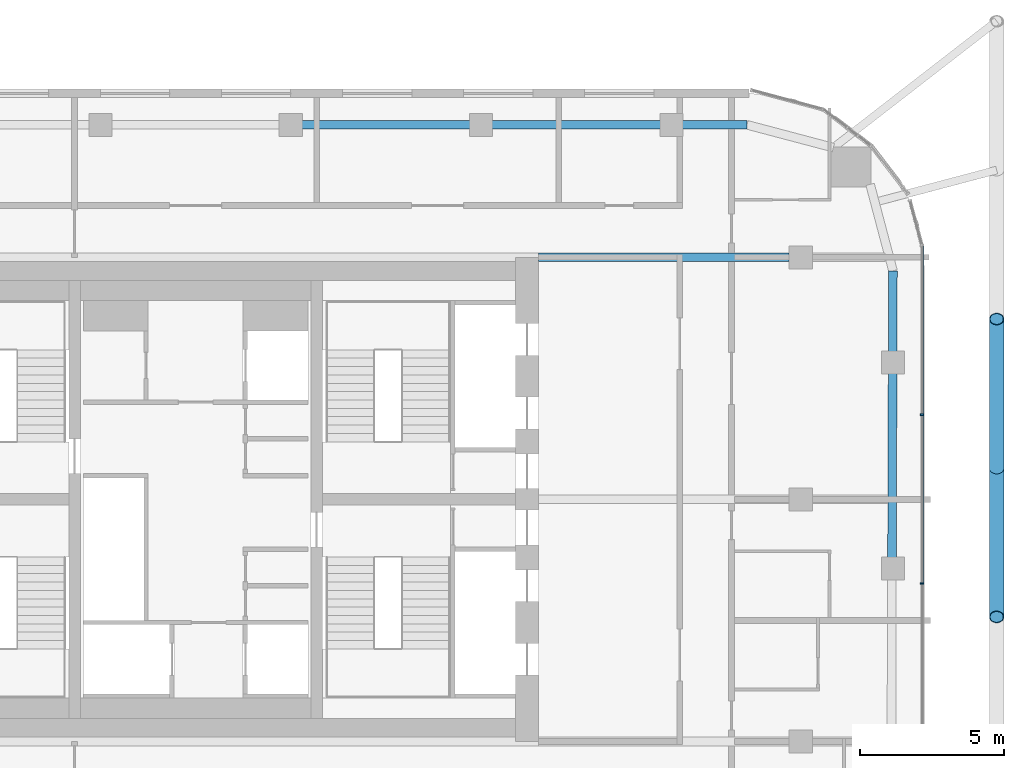
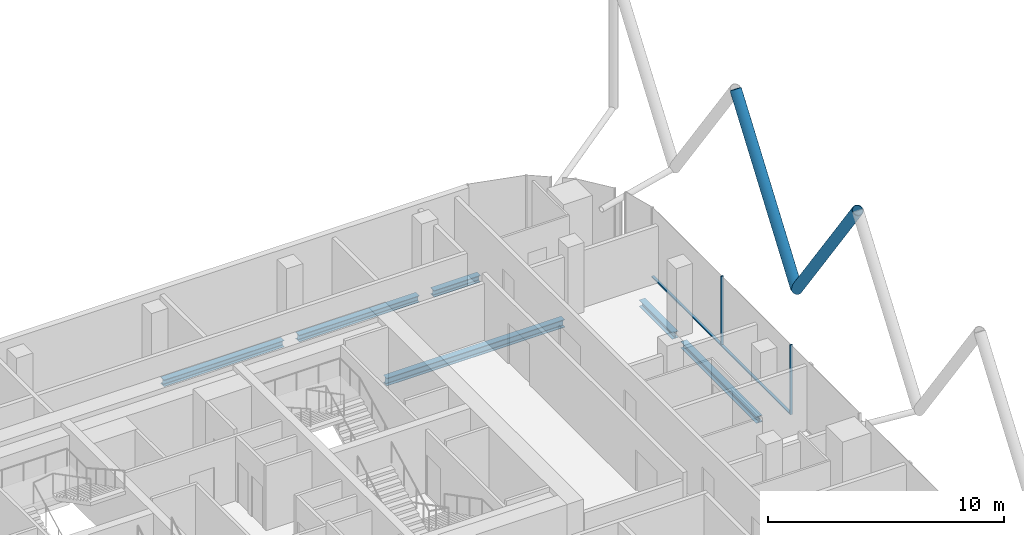
# One storey, part 10 of 31: 6 beams, 6 members, 1 element without a shape of its own.
"""IFC4 building model written with IfcOpenShell, lengths in metres."""

from ifc_helpers import new_model, si_unit, direction, frame, origin, origin_2d, place, context, subcontext, project, spatial, rectangle, hollow_circle, i_section, extrude, material, layer, layer_set, material_profile, profile_set, type_object, element, aggregate, save


model = new_model("IFC4")

# Units and contexts
model_context = context("Model", 3, precision=1e-05, world=origin(), true_north=direction((0.0, 1.0)))
body_context = subcontext(model_context, "Body", "Model", "MODEL_VIEW")
ifc_project = project(units=[si_unit("LENGTHUNIT", "METRE"), si_unit("AREAUNIT", "SQUARE_METRE"), si_unit("VOLUMEUNIT", "CUBIC_METRE"), si_unit("PLANEANGLEUNIT", "RADIAN"), si_unit("MASSUNIT", "GRAM", prefix="KILO")], contexts=[model_context])

# Site, building, storey
site_placement = place(None, origin())
site = spatial("IfcSite", under=ifc_project, at=site_placement, CompositionType="ELEMENT")
building_placement = place(site_placement, origin())
building = spatial("IfcBuilding", under=site, at=building_placement, Name="Marenta Gate Hotel Tower", CompositionType="ELEMENT")
storey_placement = place(building_placement, frame((0.0, 0.0, 191.300048828125)))
storey = spatial("IfcBuildingStorey", under=building, at=storey_placement, Name="L43", CompositionType="ELEMENT", Elevation=191.300048828125)

# Members
ifc_material_1 = material(Name="Steel S355J2W", Category="steel")
ifc_material_profile_1 = material_profile(ifc_material_1, hollow_circle(Radius=0.25390625, WallThickness=0.02490234375, at=origin_2d()), Name="CHS 508x25")
ifc_profile_set_1 = profile_set([ifc_material_profile_1], Name="Steel S355J2W")
member_type_1 = type_object("IfcMemberType", Name="Diagrid diagonal Z3 CHS 508x25", PredefinedType="BRACE", material=ifc_profile_set_1)
member_1_placement = place(storey_placement, frame((27.800048828125, 9.489990234375, 3.139892578125), z_axis=(0.0, 0.583260841117, 0.812284919975), x_axis=(-1.0, 0.0, 0.0)))
element("IfcMember", 1, at=member_1_placement, inside=storey, type_object=member_type_1, Name="L43-DG-3", PredefinedType="BRACE", context=body_context, shape_type="SweptSolid", body=[
    extrude(hollow_circle(Radius=0.25390625, WallThickness=0.02490234375, at=origin_2d()), origin(), (0.0, 0.0, 1.0), 8.86376953125),
])
member_2_placement = place(storey_placement, frame((27.800048828125, 9.489990234375, 3.139892578125), z_axis=(0.0, -0.583279014058, 0.812271870595), x_axis=(1.0, 0.0, 0.0)))
element("IfcMember", 2, at=member_2_placement, inside=storey, type_object=member_type_1, Name="L43-DG-4", PredefinedType="BRACE", context=body_context, shape_type="SweptSolid", body=[
    extrude(hollow_circle(Radius=0.25390625, WallThickness=0.02490234375, at=origin_2d()), origin(), (0.0, 0.0, 1.0), 8.864013671875),
])

# Beams
ifc_material_2 = material(Name="Steel S355", Category="steel")
ifc_material_profile_2 = material_profile(ifc_material_2, i_section(OverallWidth=0.300048828125, OverallDepth=0.340087890625, WebThickness=0.011962890625, FlangeThickness=0.021484375, FilletRadius=0.027099609375, at=origin_2d()), Name="HEB 340")
ifc_profile_set_2 = profile_set([ifc_material_profile_2], Name="Steel S355")
beam_type_1 = type_object("IfcBeamType", Name="Edge beam HEB 340", PredefinedType="SPANDREL", material=ifc_profile_set_2)
for number, where, z_axis, x_axis, name in (
    (3, (3.661376953125, 21.39990234375, -0.429931640625), (1.0, 0.0, 0.0), (0.0, 1.0, 0.0), "L43-EB-17"),
    (4, (10.26416015625, 21.39990234375, -0.429931640625), (1.0, 0.0, 0.0), (0.0, 1.0, 0.0), "L43-EB-18"),
):
    element("IfcBeam", number, at=place(storey_placement, frame(where, z_axis=z_axis, x_axis=x_axis)), inside=storey, type_object=beam_type_1, Name=name, PredefinedType="SPANDREL", context=body_context, shape_type="SweptSolid", body=[
        extrude(i_section(OverallWidth=0.300048828125, OverallDepth=0.340087890625, WebThickness=0.011962890625, FlangeThickness=0.021484375, FilletRadius=0.027099609375, at=origin_2d()), origin(), (0.0, 0.0, 1.0), 5.8828125),
    ])
beam_1_placement = place(storey_placement, frame((16.866943359375, 21.39990234375, -0.429931640625), z_axis=(1.0, 0.0, 0.0), x_axis=(0.0, 1.0, 0.0)))
element("IfcBeam", 5, at=beam_1_placement, inside=storey, type_object=beam_type_1, Name="L43-EB-19", PredefinedType="SPANDREL", context=body_context, shape_type="SweptSolid", body=[
    extrude(i_section(OverallWidth=0.300048828125, OverallDepth=0.340087890625, WebThickness=0.011962890625, FlangeThickness=0.021484375, FilletRadius=0.027099609375, at=origin_2d()), origin(), (0.0, 0.0, 1.0), 2.267578125),
])
beam_2_placement = place(storey_placement, frame((24.199951171875, 16.33447265625, -0.429931640625), z_axis=(-0.003292020626, -0.999994581285, 0.0), x_axis=(0.999994581285, -0.003292020626, 0.0)))
element("IfcBeam", 6, at=beam_2_placement, inside=storey, type_object=beam_type_1, Name="L43-EB-22", PredefinedType="SPANDREL", context=body_context, shape_type="SweptSolid", body=[
    extrude(i_section(OverallWidth=0.300048828125, OverallDepth=0.340087890625, WebThickness=0.011962890625, FlangeThickness=0.021484375, FilletRadius=0.027099609375, at=origin_2d()), origin(), (0.0, 0.0, 1.0), 2.818115234375),
])
beam_3_placement = place(storey_placement, frame((24.188232421875, 12.79638671875, -0.429931640625), z_axis=(-0.00333963982, -0.999994423387, 0.0), x_axis=(0.999994423387, -0.00333963982, 0.0)))
element("IfcBeam", 7, at=beam_3_placement, inside=storey, type_object=beam_type_1, Name="L43-EB-23", PredefinedType="SPANDREL", context=body_context, shape_type="SweptSolid", body=[
    extrude(i_section(OverallWidth=0.300048828125, OverallDepth=0.340087890625, WebThickness=0.011962890625, FlangeThickness=0.021484375, FilletRadius=0.027099609375, at=origin_2d()), origin(), (0.0, 0.0, 1.0), 6.43310546875),
])
ifc_material_3 = material(Name="Steel S355", Category="steel")
ifc_material_profile_3 = material_profile(ifc_material_3, i_section(OverallWidth=0.300048828125, OverallDepth=0.39990234375, WebThickness=0.013427734375, FlangeThickness=0.02392578125, FilletRadius=0.027099609375, at=origin_2d()), Name="HEB 400")
ifc_profile_set_3 = profile_set([ifc_material_profile_3], Name="Steel S355")
beam_type_2 = type_object("IfcBeamType", Name="Girder HEB 400", PredefinedType="BEAM", material=ifc_profile_set_3)
beam_4_placement = place(storey_placement, frame((11.89990234375, 16.800048828125, -0.4599609375), z_axis=(1.0, 0.0, 0.0), x_axis=(0.0, 1.0, 0.0)))
element("IfcBeam", 8, at=beam_4_placement, inside=storey, type_object=beam_type_2, Name="L43-GD-32", PredefinedType="BEAM", context=body_context, shape_type="SweptSolid", body=[
    extrude(i_section(OverallWidth=0.300048828125, OverallDepth=0.39990234375, WebThickness=0.013427734375, FlangeThickness=0.02392578125, FilletRadius=0.027099609375, at=origin_2d()), origin(), (0.0, 0.0, 1.0), 8.7001953125),
])

# Curtain wall, members
ifc_material_4 = material(Name="Tinted insulated glass in bronze anodised frame", Category="glass")
ifc_layer = layer(ifc_material_4, 0.1201171875)
ifc_layer_set = layer_set([ifc_layer], Name="Tinted insulated glass in bronze anodised frame")
curtain_wall_type = type_object("IfcCurtainWallType", Name="Tower unitised curtain wall CW1", PredefinedType="NOTDEFINED", material=ifc_layer_set)
curtain_wall_placement = place(storey_placement, origin())
curtain_wall = element("IfcCurtainWall", 9, at=curtain_wall_placement, inside=storey, type_object=curtain_wall_type, Name="CW1 run G34", PredefinedType="NOTDEFINED")
ifc_material_5 = material(Name="Bronze anodised aluminium", Category="aluminium")
ifc_material_profile_4 = material_profile(ifc_material_5, rectangle(XDim=0.1201171875, YDim=0.06005859375, at=origin_2d()), Name="Mullion CW1 60x120 bronze anodised aluminium")
ifc_profile_set_4 = profile_set([ifc_material_profile_4], Name="Bronze anodised aluminium")
member_type_2 = type_object("IfcMemberType", Name="Mullion CW1 60x120 bronze anodised aluminium", PredefinedType="MULLION", material=ifc_profile_set_4)
member_3_placement = place(storey_placement, frame((25.214111328125, 5.4853515625, 0.0), z_axis=(0.0, 0.0, 1.0), x_axis=(-1.0, 0.0, 0.0)))
member_3 = element("IfcMember", 10, at=member_3_placement, type_object=member_type_2, Name="CW1 mullion 2", PredefinedType="MULLION", context=body_context, shape_type="SweptSolid", body=[
    extrude(rectangle(XDim=0.1201171875, YDim=0.06005859375, at=origin_2d()), origin(), (0.0, 0.0, 1.0), 3.599853515625),
])
member_4_placement = place(storey_placement, frame((25.214111328125, 11.338623046875, 0.0), z_axis=(0.0, 0.0, 1.0), x_axis=(-1.0, 0.0, 0.0)))
member_4 = element("IfcMember", 11, at=member_4_placement, type_object=member_type_2, Name="CW1 mullion 3", PredefinedType="MULLION", context=body_context, shape_type="SweptSolid", body=[
    extrude(rectangle(XDim=0.1201171875, YDim=0.06005859375, at=origin_2d()), origin(), (0.0, 0.0, 1.0), 3.599853515625),
])
ifc_material_6 = material(Name="Bronze anodised aluminium", Category="aluminium")
ifc_material_profile_5 = material_profile(ifc_material_6, rectangle(XDim=0.1201171875, YDim=0.06005859375, at=origin_2d()), Name="Transom CW1 60x120 bronze anodised aluminium")
ifc_profile_set_5 = profile_set([ifc_material_profile_5], Name="Bronze anodised aluminium")
member_type_3 = type_object("IfcMemberType", Name="Transom CW1 60x120 bronze anodised aluminium", PredefinedType="USERDEFINED", material=ifc_profile_set_5)
member_5_placement = place(storey_placement, frame((25.214111328125, 5.515380859375, 0.030029296875), z_axis=(0.0, 1.0, 0.0), x_axis=(-1.0, 0.0, 0.0)))
member_5 = element("IfcMember", 12, at=member_5_placement, type_object=member_type_3, Name="CW1 transom 2.1", ObjectType="TRANSOM", PredefinedType="USERDEFINED", context=body_context, shape_type="SweptSolid", body=[
    extrude(rectangle(XDim=0.1201171875, YDim=0.06005859375, at=origin_2d()), origin(), (0.0, 0.0, 1.0), 5.793212890625),
])
member_6_placement = place(storey_placement, frame((25.214111328125, 11.36865234375, 0.030029296875), z_axis=(0.0, 1.0, 0.0), x_axis=(-1.0, 0.0, 0.0)))
member_6 = element("IfcMember", 13, at=member_6_placement, type_object=member_type_3, Name="CW1 transom 3.1", ObjectType="TRANSOM", PredefinedType="USERDEFINED", context=body_context, shape_type="SweptSolid", body=[
    extrude(rectangle(XDim=0.1201171875, YDim=0.06005859375, at=origin_2d()), origin(), (0.0, 0.0, 1.0), 5.8232421875),
])
aggregate(curtain_wall, [member_3, member_4, member_5, member_6])

save(model, "model.ifc")
